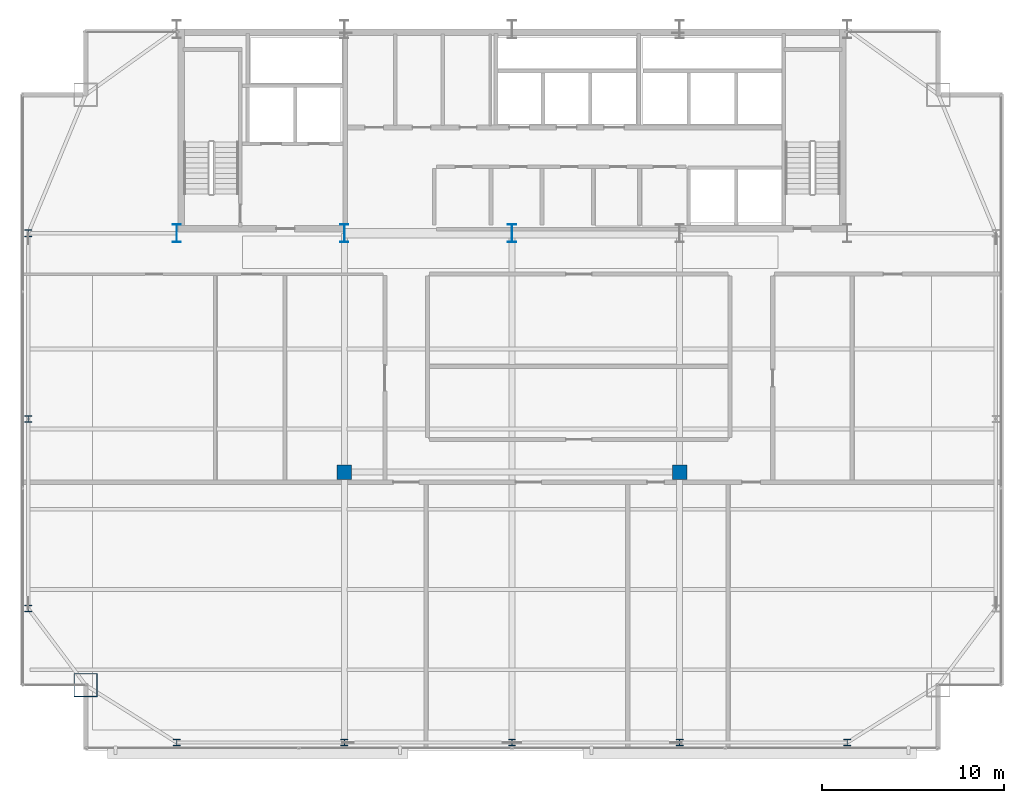
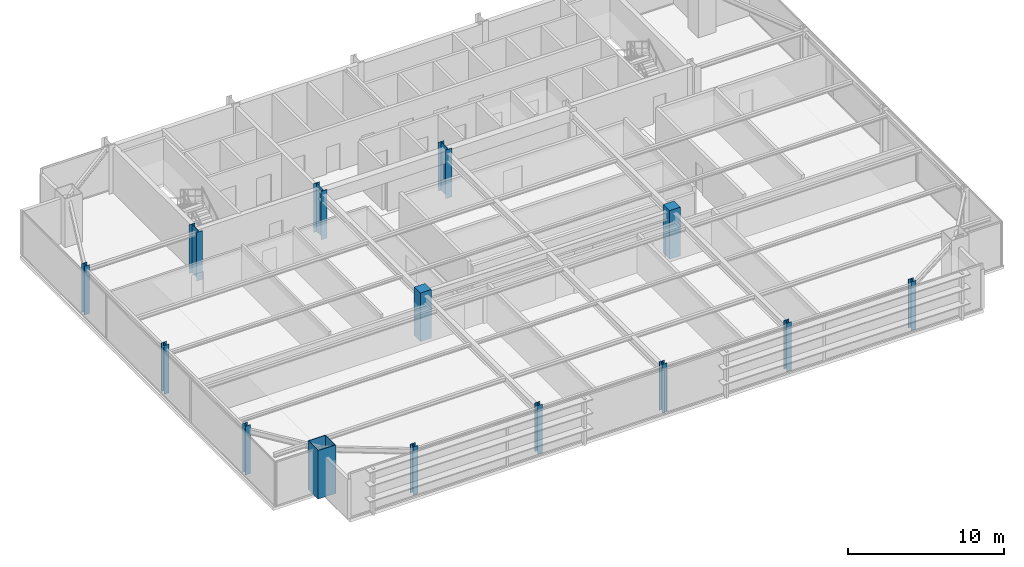
# One storey, part 1 of 29: 14 columns.
"""IFC4 building model written with IfcOpenShell, lengths in metres."""

from ifc_helpers import new_model, si_unit, direction, frame, origin, origin_2d, place, context, subcontext, project, spatial, rectangle, hollow_rectangle, i_section, extrude, source, transform, mapped, material, material_profile, profile_set, type_object, type_shapes, element, save


model = new_model("IFC4")

# Units and contexts
model_context = context("Model", 3, precision=1e-05, world=origin(), true_north=direction((0.0, 1.0)))
body_context = subcontext(model_context, "Body", "Model", "MODEL_VIEW")
ifc_project = project(units=[si_unit("LENGTHUNIT", "METRE"), si_unit("AREAUNIT", "SQUARE_METRE"), si_unit("VOLUMEUNIT", "CUBIC_METRE"), si_unit("PLANEANGLEUNIT", "RADIAN"), si_unit("MASSUNIT", "GRAM", prefix="KILO")], contexts=[model_context])

# Site, building, storey
site_placement = place(None, origin())
site = spatial("IfcSite", under=ifc_project, at=site_placement, CompositionType="ELEMENT")
building_placement = place(site_placement, origin())
building = spatial("IfcBuilding", under=site, at=building_placement, Name="Varnel Quay Broadcast Tower", CompositionType="ELEMENT")
storey_placement = place(building_placement, frame((0.0, 0.0, 187.60009765625)))
storey = spatial("IfcBuildingStorey", under=building, at=storey_placement, Name="L46", CompositionType="ELEMENT", Elevation=187.60009765625)

# Columns
ifc_material_1 = material(Name="Structural Steel CSA G40.21 350WT", Category="steel")
ifc_material_profile_1 = material_profile(ifc_material_1, i_section(OverallWidth=0.449951171875, OverallDepth=1.0, WebThickness=0.01611328125, FlangeThickness=0.030029296875, FilletRadius=0.01611328125, at=origin_2d()), Name="WWF1000X362")
ifc_profile_set_1 = profile_set([ifc_material_profile_1], Name="Structural Steel CSA G40.21 350WT")
column_type_1 = type_object("IfcColumnType", Name="Col_WWF1000X362", PredefinedType="COLUMN", material=ifc_profile_set_1)
shared_shape_1 = source(origin(), body_context, "Body", "SweptSolid", [
    extrude(i_section(OverallWidth=0.449951171875, OverallDepth=1.0, WebThickness=0.01611328125, FlangeThickness=0.030029296875, FilletRadius=0.01611328125, at=origin_2d()), origin(), (0.0, 0.0, 1.0), 3.7998046875),
])
type_shapes(column_type_1, [shared_shape_1])
for number, where, z_axis, x_axis, name in (
    (1, (15.60009765625, 35.60009765625, 0.0), (0.0, 0.0, 1.0), (1.0, 0.0, 0.0), "L46 Column CC-S1"),
    (2, (24.800048828125, 35.60009765625, 0.0), (0.0, 0.0, 1.0), (1.0, 0.0, 0.0), "L46 Column CC-S2"),
    (3, (34.0, 35.60009765625, 0.0), (0.0, 0.0, 1.0), (1.0, 0.0, 0.0), "L46 Column CC-S3"),
):
    element("IfcColumn", number, at=place(storey_placement, frame(where, z_axis=z_axis, x_axis=x_axis)), inside=storey, type_object=column_type_1, Name=name, PredefinedType="COLUMN", context=body_context, shape_type="MappedRepresentation", body=[
        mapped(shared_shape_1, transform((0.0, 0.0, 0.0), x_axis=(1.0, 0.0, 0.0), y_axis=(0.0, 1.0, 0.0), z_axis=(0.0, 0.0, 1.0), scale=1.0)),
    ])
ifc_material_profile_2 = material_profile(ifc_material_1, hollow_rectangle(XDim=1.300048828125, YDim=1.300048828125, WallThickness=0.050048828125, at=origin_2d()), Name="BOX1300X1300X50")
ifc_profile_set_2 = profile_set([ifc_material_profile_2], Name="Structural Steel CSA G40.21 350WT")
column_type_2 = type_object("IfcColumnType", Name="Col_BOX1300X1300X50", PredefinedType="COLUMN", material=ifc_profile_set_2)
shared_shape_2 = source(origin(), body_context, "Body", "SweptSolid", [
    extrude(hollow_rectangle(XDim=1.300048828125, YDim=1.300048828125, WallThickness=0.050048828125, at=origin_2d()), origin(), (0.0, 0.0, 1.0), 3.7998046875),
])
type_shapes(column_type_2, [shared_shape_2])
column_placement = place(storey_placement, frame((10.60009765625, 10.800048828125, 0.0), z_axis=(0.0, 0.0, 1.0), x_axis=(1.0, 0.0, 0.0)))
element("IfcColumn", 4, at=column_placement, inside=storey, type_object=column_type_2, Name="L46 Column MC-SW", PredefinedType="COLUMN", context=body_context, shape_type="MappedRepresentation", body=[
    mapped(shared_shape_2, transform((0.0, 0.0, 0.0), x_axis=(1.0, 0.0, 0.0), y_axis=(0.0, 1.0, 0.0), z_axis=(0.0, 0.0, 1.0), scale=1.0)),
])
ifc_material_2 = material(Name="Structural Steel CSA G40.21 350W", Category="steel")
ifc_material_profile_3 = material_profile(ifc_material_2, i_section(OverallWidth=0.3740234375, OverallDepth=0.3720703125, WebThickness=0.016357421875, FlangeThickness=0.026123046875, FilletRadius=0.01611328125, at=origin_2d()), Name="W360X196")
ifc_profile_set_3 = profile_set([ifc_material_profile_3], Name="Structural Steel CSA G40.21 350W")
column_type_3 = type_object("IfcColumnType", Name="Col_W360X196", PredefinedType="COLUMN", material=ifc_profile_set_3)
shared_shape_3 = source(origin(), body_context, "Body", "SweptSolid", [
    extrude(i_section(OverallWidth=0.3740234375, OverallDepth=0.3720703125, WebThickness=0.016357421875, FlangeThickness=0.026123046875, FilletRadius=0.01611328125, at=origin_2d()), origin(), (0.0, 0.0, 1.0), 3.7998046875),
])
type_shapes(column_type_3, [shared_shape_3])
for number, where, z_axis, x_axis, name in (
    (5, (15.60009765625, 7.64990234375, 0.0), (0.0, 0.0, 1.0), (1.0, 0.0, 0.0), "L46 Column TC-S1"),
    (6, (24.800048828125, 7.64990234375, 0.0), (0.0, 0.0, 1.0), (1.0, 0.0, 0.0), "L46 Column TC-S2"),
    (7, (34.0, 7.64990234375, 0.0), (0.0, 0.0, 1.0), (1.0, 0.0, 0.0), "L46 Column TC-S3"),
    (8, (43.199951171875, 7.64990234375, 0.0), (0.0, 0.0, 1.0), (1.0, 0.0, 0.0), "L46 Column TC-S4"),
    (9, (52.39990234375, 7.64990234375, 0.0), (0.0, 0.0, 1.0), (1.0, 0.0, 0.0), "L46 Column TC-S5"),
    (10, (7.449951171875, 15.0, 0.0), (0.0, 0.0, 1.0), (1.0, 0.0, 0.0), "L46 Column TC-W1"),
    (11, (7.449951171875, 25.39990234375, 0.0), (0.0, 0.0, 1.0), (1.0, 0.0, 0.0), "L46 Column TC-W2"),
    (12, (7.449951171875, 35.60009765625, 0.0), (0.0, 0.0, 1.0), (1.0, 0.0, 0.0), "L46 Column TC-W3"),
):
    element("IfcColumn", number, at=place(storey_placement, frame(where, z_axis=z_axis, x_axis=x_axis)), inside=storey, type_object=column_type_3, Name=name, PredefinedType="COLUMN", context=body_context, shape_type="MappedRepresentation", body=[
        mapped(shared_shape_3, transform((0.0, 0.0, 0.0), x_axis=(1.0, 0.0, 0.0), y_axis=(0.0, 1.0, 0.0), z_axis=(0.0, 0.0, 1.0), scale=1.0)),
    ])
ifc_material_3 = material(Name="Concrete CSA A23.3 C50/60", Category="concrete")
ifc_material_profile_4 = material_profile(ifc_material_3, rectangle(XDim=0.800048828125, YDim=0.800048828125, at=origin_2d()), Name="RC800X800")
ifc_profile_set_4 = profile_set([ifc_material_profile_4], Name="Concrete CSA A23.3 C50/60")
column_type_4 = type_object("IfcColumnType", Name="Col_RC800X800", PredefinedType="COLUMN", material=ifc_profile_set_4)
shared_shape_4 = source(origin(), body_context, "Body", "SweptSolid", [
    extrude(rectangle(XDim=0.800048828125, YDim=0.800048828125, at=origin_2d()), origin(), (0.0, 0.0, 1.0), 3.7998046875),
])
type_shapes(column_type_4, [shared_shape_4])
for number, where, z_axis, x_axis, name in (
    (13, (24.800048828125, 22.489990234375, 0.0), (0.0, 0.0, 1.0), (1.0, 0.0, 0.0), "L46 Column IC-01"),
    (14, (43.199951171875, 22.489990234375, 0.0), (0.0, 0.0, 1.0), (1.0, 0.0, 0.0), "L46 Column IC-02"),
):
    element("IfcColumn", number, at=place(storey_placement, frame(where, z_axis=z_axis, x_axis=x_axis)), inside=storey, type_object=column_type_4, Name=name, PredefinedType="COLUMN", context=body_context, shape_type="MappedRepresentation", body=[
        mapped(shared_shape_4, transform((0.0, 0.0, 0.0), x_axis=(1.0, 0.0, 0.0), y_axis=(0.0, 1.0, 0.0), z_axis=(0.0, 0.0, 1.0), scale=1.0)),
    ])

save(model, "model.ifc")
